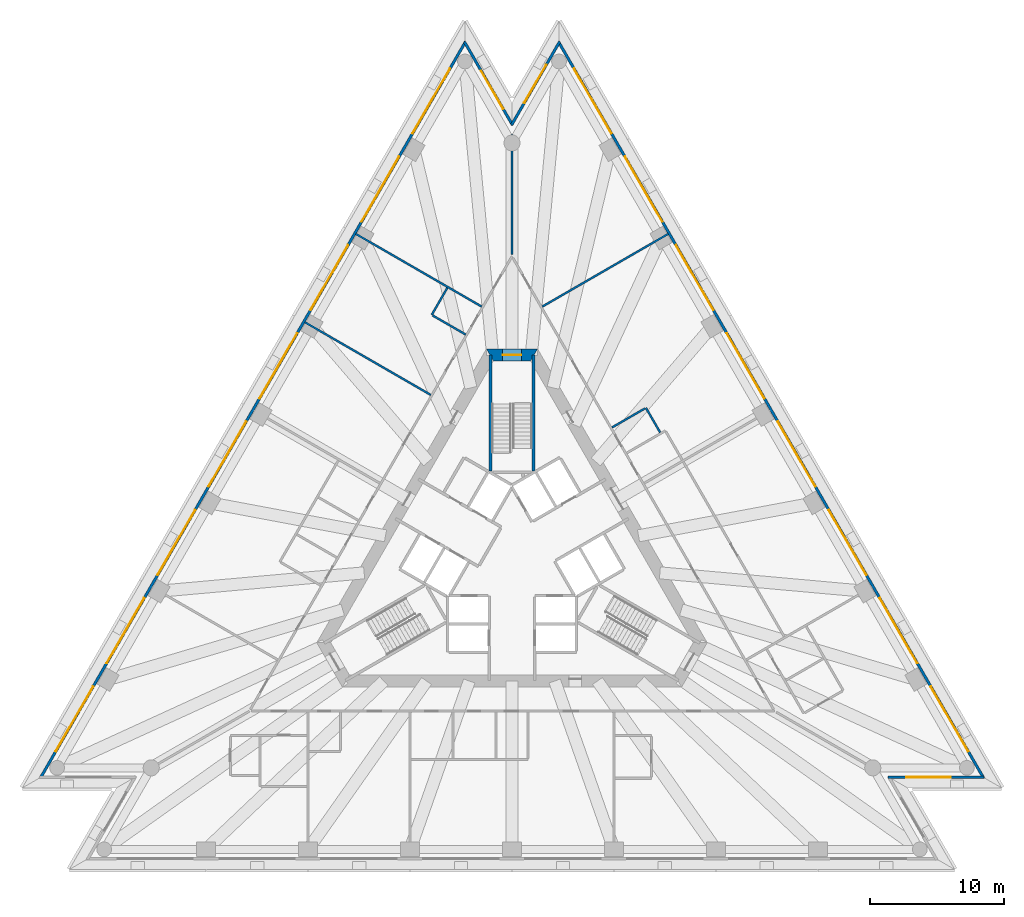
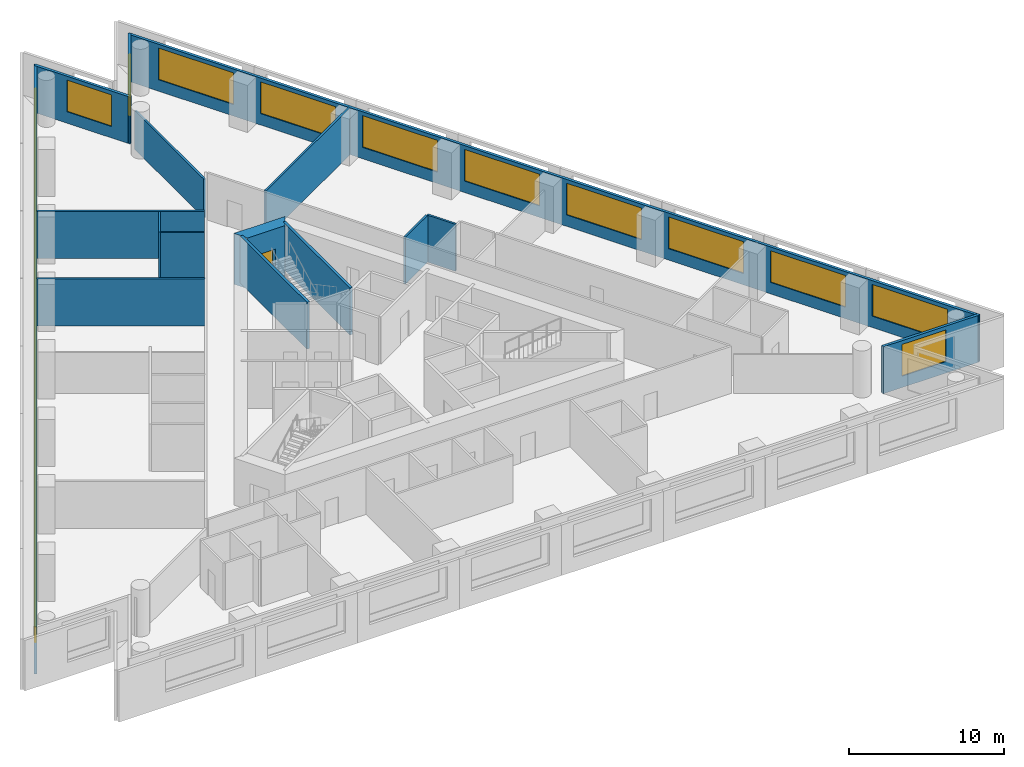
# One storey, part 8 of 11: 19 windows, 16 walls, 1 door, 20 openings.
"""IFC4 building model written with IfcOpenShell, lengths in metres."""

import ifcopenshell
import ifcopenshell.guid

model = None  # the IFC model being written
_history = None  # IfcOwnerHistory: only IFC2X3 demands one
_inside = {}  # id of a spatial element -> (the spatial element, [elements in it])
_under = {}  # id of a project, library or spatial element -> (it, [spatial elements below it])
_declared = {}  # id of a project -> (the project, [libraries it declares])
_typed = {}  # id of a type object -> (the type object, [elements of that type])
_made_of = {}  # id of a material, layer set ... -> (it, [elements and type objects made of it])


def new_model(schema):
    """Start an empty IFC model of exactly this schema.

    Asked for "IFC4X3", IfcOpenShell would pick the latest addendum, in which some entities
    have other attributes; the version numbers below select the first issue.
    IFC2X3 requires an IfcOwnerHistory on every rooted entity: one is made here for all.
    """
    global model, _history
    if schema == "IFC4X3":
        model = ifcopenshell.file(schema_version=(4, 3, 0, 0))
    else:
        model = ifcopenshell.file(schema=schema)
    _inside.clear()
    _under.clear()
    _declared.clear()
    _typed.clear()
    _made_of.clear()
    _history = None
    if model.schema == "IFC2X3":
        org = make("IfcOrganization", Name="unknown")
        user = make(
            "IfcPersonAndOrganization",
            ThePerson=make("IfcPerson", FamilyName="unknown"),
            TheOrganization=org,
        )
        app = make(
            "IfcApplication",
            ApplicationDeveloper=org,
            Version="unknown",
            ApplicationFullName="unknown",
            ApplicationIdentifier="unknown",
        )
        _history = make(
            "IfcOwnerHistory",
            OwningUser=user,
            OwningApplication=app,
            ChangeAction="ADDED",
            CreationDate=0,
        )
    return model


def make(cls, **values):
    """One entity of the class cls with the attributes given. An attribute that is None is left unset."""
    return model.create_entity(
        cls, **{name: value for name, value in values.items() if value is not None}
    )


def rooted(cls, **values):
    """An entity with a GlobalId (a new one), such as an element, a storey or a relation."""
    return make(cls, GlobalId=ifcopenshell.guid.new(), OwnerHistory=_history, **values)


def si_unit(unit_type, name, prefix=None):
    """IfcSIUnit, for example si_unit("LENGTHUNIT", "METRE", prefix="MILLI")."""
    return make("IfcSIUnit", UnitType=unit_type, Prefix=prefix, Name=name)


def assignment(units):
    """IfcUnitAssignment: the units of a project."""
    return None if units is None else make("IfcUnitAssignment", Units=units)


def point(xyz):
    """IfcCartesianPoint."""
    return None if xyz is None else make("IfcCartesianPoint", Coordinates=xyz)


def direction(xyz):
    """IfcDirection."""
    return None if xyz is None else make("IfcDirection", DirectionRatios=xyz)


def frame(location, z_axis=None, x_axis=None):
    """IfcAxis2Placement3D, a coordinate frame: its origin and axes. An axis left out is left unset."""
    return make(
        "IfcAxis2Placement3D",
        Location=point(location),
        Axis=direction(z_axis),
        RefDirection=direction(x_axis),
    )


def frame_2d(location, x_axis=None):
    """IfcAxis2Placement2D, a coordinate frame in the plane: its origin and x axis."""
    return make(
        "IfcAxis2Placement2D", Location=point(location), RefDirection=direction(x_axis)
    )


def origin():
    """The frame at (0, 0, 0) with its axes left unset."""
    return frame((0.0, 0.0, 0.0))


def place(relative_to, where):
    """IfcLocalPlacement: puts the frame where relative to a parent placement (None: the world)."""
    return make(
        "IfcLocalPlacement", PlacementRelTo=relative_to, RelativePlacement=where
    )


def context(
    kind, dimensions, precision=None, world=None, true_north=None, identifier=None
):
    """IfcGeometricRepresentationContext, for example the 3D "Model" context."""
    return make(
        "IfcGeometricRepresentationContext",
        ContextIdentifier=identifier,
        ContextType=kind,
        CoordinateSpaceDimension=dimensions,
        Precision=precision,
        WorldCoordinateSystem=world,
        TrueNorth=true_north,
    )


def subcontext(parent, identifier, kind, view, scale=None):
    """IfcGeometricRepresentationSubContext, for example "Body" below "Model"."""
    return make(
        "IfcGeometricRepresentationSubContext",
        ContextIdentifier=identifier,
        ContextType=kind,
        ParentContext=parent,
        TargetScale=scale,
        TargetView=view,
    )


def project(units=None, contexts=None):
    """IfcProject with its units and contexts."""
    return rooted(
        "IfcProject",
        Name="project",
        RepresentationContexts=contexts,
        UnitsInContext=assignment(units),
    )


def spatial(cls, under=None, at=None, **own):
    """A site, building, storey or space (cls), placed at a placement, below another one or the project."""
    s = rooted(cls, ObjectPlacement=at, **own)
    if under is not None:
        _under.setdefault(under.id(), (under, []))[1].append(s)
    return s


def polyline(points):
    """IfcPolyline through the points."""
    return make("IfcPolyline", Points=[point(p) for p in points])


def profile(cls, at=None, kind="AREA", **sizes):
    """A parametric profile (cls). Its sizes go by their IFC names, for example OverallWidth=200.0."""
    return make(cls, ProfileType=kind, Position=at, **sizes)


def rectangle(**sizes):
    """IfcRectangleProfileDef."""
    return profile("IfcRectangleProfileDef", **sizes)


def outline(outer, holes=None, kind="AREA"):
    """IfcArbitraryClosedProfileDef: a profile drawn as a closed curve; with holes, ...WithVoids."""
    if holes is None:
        return make("IfcArbitraryClosedProfileDef", ProfileType=kind, OuterCurve=outer)
    return make(
        "IfcArbitraryProfileDefWithVoids",
        ProfileType=kind,
        OuterCurve=outer,
        InnerCurves=holes,
    )


def extrude(swept, where, along, depth):
    """IfcExtrudedAreaSolid: the profile swept, set in the frame where, extruded along a direction by depth."""
    return make(
        "IfcExtrudedAreaSolid",
        SweptArea=swept,
        Position=where,
        ExtrudedDirection=direction(along),
        Depth=depth,
    )


def shape(context_of_items, identifier, shape_type, items):
    """IfcShapeRepresentation: the items that make up one representation, for example the "Body"."""
    return make(
        "IfcShapeRepresentation",
        ContextOfItems=context_of_items,
        RepresentationIdentifier=identifier,
        RepresentationType=shape_type,
        Items=items,
    )


def material(Name=None, Category=None):
    """IfcMaterial."""
    return make("IfcMaterial", Name=Name, Category=Category)


def layer(
    of_material, thickness, ventilated=None, Name=None, Category=None, Priority=None
):
    """IfcMaterialLayer: one layer of a wall or slab, of a material (None: an air gap)."""
    return make(
        "IfcMaterialLayer",
        Material=of_material,
        LayerThickness=thickness,
        IsVentilated=ventilated,
        Name=Name,
        Category=Category,
        Priority=Priority,
    )


def layer_set(layers, Name=None):
    """IfcMaterialLayerSet."""
    return make("IfcMaterialLayerSet", MaterialLayers=layers, LayerSetName=Name)


def layer_usage(for_layer_set, set_direction, sense, offset, extent=None):
    """IfcMaterialLayerSetUsage: how a layer set lies in its element."""
    return make(
        "IfcMaterialLayerSetUsage",
        ForLayerSet=for_layer_set,
        LayerSetDirection=set_direction,
        DirectionSense=sense,
        OffsetFromReferenceLine=offset,
        ReferenceExtent=extent,
    )


def made_of(thing, what):
    """Note that an element or type object is made of a material, layer set ...; save() writes the relation."""
    if what is not None:
        _made_of.setdefault(what.id(), (what, []))[1].append(thing)
    return thing


def type_object(cls, material=None, **own):
    """A type object (cls), such as IfcWallType, which elements share."""
    return made_of(rooted(cls, **own), material)


def element(
    cls,
    number,
    at=None,
    inside=None,
    cuts=None,
    type_object=None,
    material=None,
    context=None,
    identifier="Body",
    shape_type=None,
    held_by="IfcProductDefinitionShape",
    body=None,
    shapes=None,
    **own,
):
    """One element of the class cls, such as IfcWall. Its Tag is "e" and its number.

    at: its placement. inside: the storey or other place that contains it. cuts: it is an
    opening in that element (IfcRelVoidsElement). A single representation is given by context,
    identifier, shape_type and body (its items); several are given by shapes. held_by: the class
    of the entity that holds the representations. save() writes the other relations.
    """
    e = rooted(cls, Tag="e%d" % number, ObjectPlacement=at, **own)
    if body is not None:
        shapes = [shape(context, identifier, shape_type, body)]
    if shapes is not None:
        e.Representation = make(held_by, Representations=shapes)
    if inside is not None:
        _inside.setdefault(inside.id(), (inside, []))[1].append(e)
    if cuts is not None:
        rooted(
            "IfcRelVoidsElement", RelatingBuildingElement=cuts, RelatedOpeningElement=e
        )
    if type_object is not None:
        _typed.setdefault(type_object.id(), (type_object, []))[1].append(e)
    return made_of(e, material)


def fill(opening, filler):
    """IfcRelFillsElement: the door or window that sits in an opening."""
    return rooted(
        "IfcRelFillsElement",
        RelatingOpeningElement=opening,
        RelatedBuildingElement=filler,
    )


def aggregate(whole, parts):
    """IfcRelAggregates: a whole, such as a stair, and the parts it consists of."""
    return rooted("IfcRelAggregates", RelatingObject=whole, RelatedObjects=parts)


def save(model, path):
    """Write the relations noted so far, then the file.

    IfcRelAggregates (storeys below a building ...), IfcRelContainedInSpatialStructure (elements
    in a storey), IfcRelDefinesByType, IfcRelAssociatesMaterial and IfcRelDeclares: one each for
    every whole, place, type object, material and project.
    """
    for whole, parts in _under.values():
        aggregate(whole, parts)
    for where, things in _inside.values():
        rooted(
            "IfcRelContainedInSpatialStructure",
            RelatedElements=things,
            RelatingStructure=where,
        )
    for kind, things in _typed.values():
        rooted("IfcRelDefinesByType", RelatedObjects=things, RelatingType=kind)
    for what, things in _made_of.values():
        rooted("IfcRelAssociatesMaterial", RelatedObjects=things, RelatingMaterial=what)
    for by, libraries in _declared.values():
        rooted("IfcRelDeclares", RelatingContext=by, RelatedDefinitions=libraries)
    model.write(path)


model = new_model("IFC4")

# Units and contexts
model_context = context("Model", 3, precision=1e-05, world=origin(), true_north=direction((0.0, 1.0)))
body_context = subcontext(model_context, "Body", "Model", "MODEL_VIEW")
ifc_project = project(units=[si_unit("LENGTHUNIT", "METRE"), si_unit("AREAUNIT", "SQUARE_METRE"), si_unit("VOLUMEUNIT", "CUBIC_METRE"), si_unit("PLANEANGLEUNIT", "RADIAN"), si_unit("MASSUNIT", "GRAM", prefix="KILO")], contexts=[model_context])

# Site, building, storey
site_placement = place(None, origin())
site = spatial("IfcSite", under=ifc_project, at=site_placement, CompositionType="ELEMENT")
building_placement = place(site_placement, origin())
building = spatial("IfcBuilding", under=site, at=building_placement, Name="Triada Interchange Tower", CompositionType="ELEMENT")
storey_placement = place(building_placement, frame((0.0, 0.0, 43.300048828125)))
storey = spatial("IfcBuildingStorey", under=building, at=storey_placement, Name="L08", CompositionType="ELEMENT", Elevation=43.300048828125)

# Walls
ifc_material_1 = material(Name="Concrete C30/37", Category="concrete")
ifc_layer_1 = layer(ifc_material_1, 0.199951171875)
ifc_layer_set_1 = layer_set([ifc_layer_1], Name="CORE WALL 200 REI 240")
wall_type_1 = type_object("IfcWallType", Name="CORE WALL 200 REI 240", PredefinedType="SOLIDWALL", material=ifc_layer_set_1)
for number, where, z_axis, x_axis, name in (
    (1, (1.60009765625, 6.614990234375, 0.0), (0.0, 0.0, 1.0), (0.0, 1.0, 0.0), "Wall L06 87"),
    (2, (-1.60009765625, 6.614990234375, 0.0), (0.0, 0.0, 1.0), (0.0, 1.0, 0.0), "Wall L06 89"),
):
    element("IfcWall", number, at=place(storey_placement, frame(where, z_axis=z_axis, x_axis=x_axis)), inside=storey, type_object=wall_type_1, Name=name, PredefinedType="SOLIDWALL", context=body_context, shape_type="SweptSolid", body=[
        extrude(rectangle(XDim=8.614990234375, YDim=0.199951171875, at=frame_2d((4.3076171875, 0.0))), origin(), (0.0, 0.0, 1.0), 3.699951171875),
    ])

# Wall, opening, door
ifc_material_2 = material(Name="Concrete C70/85", Category="concrete")
ifc_layer_2 = layer(ifc_material_2, 0.89990234375)
ifc_layer_set_2 = layer_set([ifc_layer_2], Name="Core wall A 900")
wall_type_2 = type_object("IfcWallType", Name="Core wall A 900", PredefinedType="SHEAR", material=ifc_layer_set_2)
wall_1_placement = place(storey_placement, frame((1.64501953125, 15.25, -0.300048828125), z_axis=(0.0, 0.0, 1.0), x_axis=(-1.0, 0.0, 0.0)))
wall_1 = element("IfcWall", 3, at=wall_1_placement, inside=storey, type_object=wall_type_2, Name="Core wall WA01 L08", PredefinedType="SHEAR", context=body_context, shape_type="SweptSolid", body=[
    extrude(outline(polyline([(-0.260009765625, -0.449951171875), (1.64501953125, -0.449951171875), (3.550048828125, -0.449951171875), (3.031005859375, 0.449951171875), (1.64501953125, 0.449951171875), (0.259033203125, 0.449951171875), (-0.260009765625, -0.449951171875)])), origin(), (0.0, 0.0, 1.0), 4.0),
])
opening_1_placement = place(wall_1_placement, frame((0.945068359375, 0.0, 0.300048828125)))
opening_1 = element("IfcOpeningElement", 4, at=opening_1_placement, cuts=wall_1, Name="Opening D06-41", PredefinedType="OPENING", context=body_context, shape_type="SweptSolid", body=[
    extrude(rectangle(XDim=1.39990234375, YDim=2.10009765625, at=frame_2d((0.699951171875, 1.050048828125))), frame((0.0, 0.4599609375, 0.0), z_axis=(0.0, -1.0, 0.0), x_axis=(1.0, 0.0, 0.0)), (0.0, 0.0, 1.0), 0.919921875),
])
ifc_material_3 = material(Name="Steel S235 door leaf", Category="steel")
door_type = type_object("IfcDoorType", Name="STAIR DOOR 1400 EI2 90-C5S200", OperationType="DOUBLE_DOOR_SINGLE_SWING", PredefinedType="DOOR", material=ifc_material_3)
door_placement = place(opening_1_placement, origin())
door = element("IfcDoor", 5, at=door_placement, inside=storey, type_object=door_type, Name="Door D06-41 L08", OperationType="DOUBLE_DOOR_SINGLE_SWING", OverallHeight=2.10009765625, OverallWidth=1.39990234375, PredefinedType="DOOR", context=body_context, shape_type="SweptSolid", body=[
    extrude(rectangle(XDim=1.39990234375, YDim=2.10009765625, at=frame_2d((0.699951171875, 1.050048828125))), frame((0.0, 0.02490234375, 0.0), z_axis=(0.0, -1.0, 0.0), x_axis=(1.0, 0.0, 0.0)), (0.0, 0.0, 1.0), 0.050048828125),
])
fill(opening_1, door)

# Wall, openings, windows
ifc_material_4 = material(Name="Cement board")
ifc_layer_3 = layer(ifc_material_4, 0.02001953125, Name="Cement board cladding")
ifc_material_5 = material(Name="Sheathing board")
ifc_layer_4 = layer(ifc_material_5, 0.014892578125, Name="Sheathing board")
ifc_material_6 = material(Name="Mineral wool")
ifc_layer_5 = layer(ifc_material_6, 0.14990234375, Name="Mineral wool between steel studs")
ifc_material_7 = material(Name="Gypsum board")
ifc_layer_6 = layer(ifc_material_7, 0.014892578125, Name="Plasterboard lining")
ifc_layer_set_3 = layer_set([ifc_layer_3, ifc_layer_4, ifc_layer_5, ifc_layer_6], Name="External wall 200")
ifc_layer_usage = layer_usage(ifc_layer_set_3, "AXIS2", "POSITIVE", -0.10009765625)
wall_type_3 = type_object("IfcWallType", Name="External wall 200", PredefinedType="ELEMENTEDWALL", material=ifc_layer_set_3)
wall_2_placement = place(storey_placement, frame((-3.4619140625, 38.60302734375, 0.0), z_axis=(0.0, 0.0, 1.0), x_axis=(-0.500012207976, -0.866018355391, 0.0)))
wall_2 = element("IfcWall", 6, at=wall_2_placement, inside=storey, type_object=wall_type_3, material=ifc_layer_usage, Name="External wall L08 NW", PredefinedType="ELEMENTEDWALL", context=body_context, shape_type="SweptSolid", body=[
    extrude(rectangle(XDim=63.380859375, YDim=0.199951171875, at=frame_2d((31.6904296875, 0.0))), origin(), (0.0, 0.0, 1.0), 3.699951171875),
])
opening_2_placement = place(wall_2_placement, frame((2.302001953125, 0.0, 0.89990234375)))
opening_2 = element("IfcOpeningElement", 7, at=opening_2_placement, cuts=wall_2, Name="Opening WA01", PredefinedType="OPENING", context=body_context, shape_type="SweptSolid", body=[
    extrude(rectangle(XDim=5.60009765625, YDim=2.5, at=frame_2d((2.800048828125, 1.25))), frame((0.0, 0.10986328125, 0.0), z_axis=(0.0, -1.0, 0.0), x_axis=(1.0, 0.0, 0.0)), (0.0, 0.0, 1.0), 0.219970703125),
])
opening_3_placement = place(wall_2_placement, frame((9.902099609375, 0.0, 0.89990234375)))
opening_3 = element("IfcOpeningElement", 8, at=opening_3_placement, cuts=wall_2, Name="Opening WA02", PredefinedType="OPENING", context=body_context, shape_type="SweptSolid", body=[
    extrude(rectangle(XDim=5.60009765625, YDim=2.5, at=frame_2d((2.800048828125, 1.25))), frame((0.0, 0.10986328125, 0.0), z_axis=(0.0, -1.0, 0.0), x_axis=(1.0, 0.0, 0.0)), (0.0, 0.0, 1.0), 0.219970703125),
])
opening_4_placement = place(wall_2_placement, frame((17.5009765625, 0.0, 0.89990234375)))
opening_4 = element("IfcOpeningElement", 9, at=opening_4_placement, cuts=wall_2, Name="Opening WA03", PredefinedType="OPENING", context=body_context, shape_type="SweptSolid", body=[
    extrude(rectangle(XDim=5.60009765625, YDim=2.5, at=frame_2d((2.800048828125, 1.25))), frame((0.0, 0.10986328125, 0.0), z_axis=(0.0, -1.0, 0.0), x_axis=(1.0, 0.0, 0.0)), (0.0, 0.0, 1.0), 0.219970703125),
])
opening_5_placement = place(wall_2_placement, frame((25.10009765625, 0.0, 0.89990234375)))
opening_5 = element("IfcOpeningElement", 10, at=opening_5_placement, cuts=wall_2, Name="Opening WA04", PredefinedType="OPENING", context=body_context, shape_type="SweptSolid", body=[
    extrude(rectangle(XDim=5.60009765625, YDim=2.5, at=frame_2d((2.800048828125, 1.25))), frame((0.0, 0.10986328125, 0.0), z_axis=(0.0, -1.0, 0.0), x_axis=(1.0, 0.0, 0.0)), (0.0, 0.0, 1.0), 0.219970703125),
])
opening_6_placement = place(wall_2_placement, frame((32.699951171875, 0.0, 0.89990234375)))
opening_6 = element("IfcOpeningElement", 11, at=opening_6_placement, cuts=wall_2, Name="Opening WA05", PredefinedType="OPENING", context=body_context, shape_type="SweptSolid", body=[
    extrude(rectangle(XDim=5.60009765625, YDim=2.5, at=frame_2d((2.800048828125, 1.25))), frame((0.0, 0.10986328125, 0.0), z_axis=(0.0, -1.0, 0.0), x_axis=(1.0, 0.0, 0.0)), (0.0, 0.0, 1.0), 0.219970703125),
])
opening_7_placement = place(wall_2_placement, frame((40.299072265625, 0.0, 0.89990234375)))
opening_7 = element("IfcOpeningElement", 12, at=opening_7_placement, cuts=wall_2, Name="Opening WA06", PredefinedType="OPENING", context=body_context, shape_type="SweptSolid", body=[
    extrude(rectangle(XDim=5.60009765625, YDim=2.5, at=frame_2d((2.800048828125, 1.25))), frame((0.0, 0.10986328125, 0.0), z_axis=(0.0, -1.0, 0.0), x_axis=(1.0, 0.0, 0.0)), (0.0, 0.0, 1.0), 0.219970703125),
])
opening_8_placement = place(wall_2_placement, frame((47.89892578125, 0.0, 0.89990234375)))
opening_8 = element("IfcOpeningElement", 13, at=opening_8_placement, cuts=wall_2, Name="Opening WA07", PredefinedType="OPENING", context=body_context, shape_type="SweptSolid", body=[
    extrude(rectangle(XDim=5.60009765625, YDim=2.5, at=frame_2d((2.800048828125, 1.25))), frame((0.0, 0.10986328125, 0.0), z_axis=(0.0, -1.0, 0.0), x_axis=(1.0, 0.0, 0.0)), (0.0, 0.0, 1.0), 0.219970703125),
])
opening_9_placement = place(wall_2_placement, frame((55.498046875, 0.0, 0.89990234375)))
opening_9 = element("IfcOpeningElement", 14, at=opening_9_placement, cuts=wall_2, Name="Opening WA08", PredefinedType="OPENING", context=body_context, shape_type="SweptSolid", body=[
    extrude(rectangle(XDim=5.60009765625, YDim=2.5, at=frame_2d((2.800048828125, 1.25))), frame((0.0, 0.10986328125, 0.0), z_axis=(0.0, -1.0, 0.0), x_axis=(1.0, 0.0, 0.0)), (0.0, 0.0, 1.0), 0.219970703125),
])
ifc_material_8 = material(Name="Double glazed aluminium window", Category="aluminium")
window_type_1 = type_object("IfcWindowType", Name="Ribbon window A face", PartitioningType="SINGLE_PANEL", PredefinedType="WINDOW", material=ifc_material_8)
window_1_placement = place(opening_2_placement, origin())
window_1 = element("IfcWindow", 15, at=window_1_placement, inside=storey, type_object=window_type_1, Name="Window L08 NW 1", OverallHeight=2.5, OverallWidth=5.60009765625, PartitioningType="SINGLE_PANEL", PredefinedType="WINDOW", context=body_context, shape_type="SweptSolid", body=[
    extrude(rectangle(XDim=5.60009765625, YDim=2.5, at=frame_2d((2.800048828125, 1.25))), frame((0.0, 0.030029296875, 0.0), z_axis=(0.0, -1.0, 0.0), x_axis=(1.0, 0.0, 0.0)), (0.0, 0.0, 1.0), 0.06005859375),
])
fill(opening_2, window_1)
window_2_placement = place(opening_3_placement, origin())
window_2 = element("IfcWindow", 16, at=window_2_placement, inside=storey, type_object=window_type_1, Name="Window L08 NW 2", OverallHeight=2.5, OverallWidth=5.60009765625, PartitioningType="SINGLE_PANEL", PredefinedType="WINDOW", context=body_context, shape_type="SweptSolid", body=[
    extrude(rectangle(XDim=5.60009765625, YDim=2.5, at=frame_2d((2.800048828125, 1.25))), frame((0.0, 0.030029296875, 0.0), z_axis=(0.0, -1.0, 0.0), x_axis=(1.0, 0.0, 0.0)), (0.0, 0.0, 1.0), 0.06005859375),
])
fill(opening_3, window_2)
window_3_placement = place(opening_4_placement, origin())
window_3 = element("IfcWindow", 17, at=window_3_placement, inside=storey, type_object=window_type_1, Name="Window L08 NW 3", OverallHeight=2.5, OverallWidth=5.60009765625, PartitioningType="SINGLE_PANEL", PredefinedType="WINDOW", context=body_context, shape_type="SweptSolid", body=[
    extrude(rectangle(XDim=5.60009765625, YDim=2.5, at=frame_2d((2.800048828125, 1.25))), frame((0.0, 0.030029296875, 0.0), z_axis=(0.0, -1.0, 0.0), x_axis=(1.0, 0.0, 0.0)), (0.0, 0.0, 1.0), 0.06005859375),
])
fill(opening_4, window_3)
window_4_placement = place(opening_5_placement, origin())
window_4 = element("IfcWindow", 18, at=window_4_placement, inside=storey, type_object=window_type_1, Name="Window L08 NW 4", OverallHeight=2.5, OverallWidth=5.60009765625, PartitioningType="SINGLE_PANEL", PredefinedType="WINDOW", context=body_context, shape_type="SweptSolid", body=[
    extrude(rectangle(XDim=5.60009765625, YDim=2.5, at=frame_2d((2.800048828125, 1.25))), frame((0.0, 0.030029296875, 0.0), z_axis=(0.0, -1.0, 0.0), x_axis=(1.0, 0.0, 0.0)), (0.0, 0.0, 1.0), 0.06005859375),
])
fill(opening_5, window_4)
window_5_placement = place(opening_6_placement, origin())
window_5 = element("IfcWindow", 19, at=window_5_placement, inside=storey, type_object=window_type_1, Name="Window L08 NW 5", OverallHeight=2.5, OverallWidth=5.60009765625, PartitioningType="SINGLE_PANEL", PredefinedType="WINDOW", context=body_context, shape_type="SweptSolid", body=[
    extrude(rectangle(XDim=5.60009765625, YDim=2.5, at=frame_2d((2.800048828125, 1.25))), frame((0.0, 0.030029296875, 0.0), z_axis=(0.0, -1.0, 0.0), x_axis=(1.0, 0.0, 0.0)), (0.0, 0.0, 1.0), 0.06005859375),
])
fill(opening_6, window_5)
window_6_placement = place(opening_7_placement, origin())
window_6 = element("IfcWindow", 20, at=window_6_placement, inside=storey, type_object=window_type_1, Name="Window L08 NW 6", OverallHeight=2.5, OverallWidth=5.60009765625, PartitioningType="SINGLE_PANEL", PredefinedType="WINDOW", context=body_context, shape_type="SweptSolid", body=[
    extrude(rectangle(XDim=5.60009765625, YDim=2.5, at=frame_2d((2.800048828125, 1.25))), frame((0.0, 0.030029296875, 0.0), z_axis=(0.0, -1.0, 0.0), x_axis=(1.0, 0.0, 0.0)), (0.0, 0.0, 1.0), 0.06005859375),
])
fill(opening_7, window_6)
window_7_placement = place(opening_8_placement, origin())
window_7 = element("IfcWindow", 21, at=window_7_placement, inside=storey, type_object=window_type_1, Name="Window L08 NW 7", OverallHeight=2.5, OverallWidth=5.60009765625, PartitioningType="SINGLE_PANEL", PredefinedType="WINDOW", context=body_context, shape_type="SweptSolid", body=[
    extrude(rectangle(XDim=5.60009765625, YDim=2.5, at=frame_2d((2.800048828125, 1.25))), frame((0.0, 0.030029296875, 0.0), z_axis=(0.0, -1.0, 0.0), x_axis=(1.0, 0.0, 0.0)), (0.0, 0.0, 1.0), 0.06005859375),
])
fill(opening_8, window_7)
window_8_placement = place(opening_9_placement, origin())
window_8 = element("IfcWindow", 22, at=window_8_placement, inside=storey, type_object=window_type_1, Name="Window L08 NW 8", OverallHeight=2.5, OverallWidth=5.60009765625, PartitioningType="SINGLE_PANEL", PredefinedType="WINDOW", context=body_context, shape_type="SweptSolid", body=[
    extrude(rectangle(XDim=5.60009765625, YDim=2.5, at=frame_2d((2.800048828125, 1.25))), frame((0.0, 0.030029296875, 0.0), z_axis=(0.0, -1.0, 0.0), x_axis=(1.0, 0.0, 0.0)), (0.0, 0.0, 1.0), 0.06005859375),
])
fill(opening_9, window_8)

# Wall, opening, window
wall_3_placement = place(storey_placement, frame((28.012939453125, -16.22509765625, 0.0), z_axis=(0.0, 0.0, 1.0), x_axis=(1.0, 0.0, 0.0)))
wall_3 = element("IfcWall", 23, at=wall_3_placement, inside=storey, type_object=wall_type_3, material=ifc_layer_usage, Name="External wall L08 SE-2", PredefinedType="ELEMENTEDWALL", context=body_context, shape_type="SweptSolid", body=[
    extrude(rectangle(XDim=7.175048828125, YDim=0.199951171875, at=frame_2d((3.58740234375, 0.0))), origin(), (0.0, 0.0, 1.0), 3.699951171875),
])
opening_10_placement = place(wall_3_placement, frame((1.389892578125, 0.0, 0.89990234375)))
opening_10 = element("IfcOpeningElement", 24, at=opening_10_placement, cuts=wall_3, Name="Opening WA20", PredefinedType="OPENING", context=body_context, shape_type="SweptSolid", body=[
    extrude(rectangle(XDim=3.300048828125, YDim=2.5, at=frame_2d((1.64990234375, 1.25))), frame((0.0, 0.10986328125, 0.0), z_axis=(0.0, -1.0, 0.0), x_axis=(1.0, 0.0, 0.0)), (0.0, 0.0, 1.0), 0.219970703125),
])
window_type_2 = type_object("IfcWindowType", Name="Ribbon window A pocket", PartitioningType="SINGLE_PANEL", PredefinedType="WINDOW", material=ifc_material_8)
window_9_placement = place(opening_10_placement, origin())
window_9 = element("IfcWindow", 25, at=window_9_placement, inside=storey, type_object=window_type_2, Name="Window L08 SE-2 1", OverallHeight=2.5, OverallWidth=3.300048828125, PartitioningType="SINGLE_PANEL", PredefinedType="WINDOW", context=body_context, shape_type="SweptSolid", body=[
    extrude(rectangle(XDim=3.300048828125, YDim=2.5, at=frame_2d((1.64990234375, 1.25))), frame((0.0, 0.030029296875, 0.0), z_axis=(0.0, -1.0, 0.0), x_axis=(1.0, 0.0, 0.0)), (0.0, 0.0, 1.0), 0.06005859375),
])
fill(opening_10, window_9)

# Wall, openings, windows
wall_4_placement = place(storey_placement, frame((35.1630859375, -16.302978515625, 0.0), z_axis=(0.0, 0.0, 1.0), x_axis=(-0.500012207976, 0.866018355391, 0.0)))
wall_4 = element("IfcWall", 26, at=wall_4_placement, inside=storey, type_object=wall_type_3, material=ifc_layer_usage, Name="External wall L08 NE", PredefinedType="ELEMENTEDWALL", context=body_context, shape_type="SweptSolid", body=[
    extrude(rectangle(XDim=63.380859375, YDim=0.199951171875, at=frame_2d((31.6904296875, 0.0))), origin(), (0.0, 0.0, 1.0), 3.699951171875),
])
opening_11_placement = place(wall_4_placement, frame((2.302001953125, 0.0, 0.89990234375)))
opening_11 = element("IfcOpeningElement", 27, at=opening_11_placement, cuts=wall_4, Name="Opening WA21", PredefinedType="OPENING", context=body_context, shape_type="SweptSolid", body=[
    extrude(rectangle(XDim=5.60009765625, YDim=2.5, at=frame_2d((2.800048828125, 1.25))), frame((0.0, 0.10986328125, 0.0), z_axis=(0.0, -1.0, 0.0), x_axis=(1.0, 0.0, 0.0)), (0.0, 0.0, 1.0), 0.219970703125),
])
opening_12_placement = place(wall_4_placement, frame((9.902099609375, 0.0, 0.89990234375)))
opening_12 = element("IfcOpeningElement", 28, at=opening_12_placement, cuts=wall_4, Name="Opening WA22", PredefinedType="OPENING", context=body_context, shape_type="SweptSolid", body=[
    extrude(rectangle(XDim=5.60009765625, YDim=2.5, at=frame_2d((2.800048828125, 1.25))), frame((0.0, 0.10986328125, 0.0), z_axis=(0.0, -1.0, 0.0), x_axis=(1.0, 0.0, 0.0)), (0.0, 0.0, 1.0), 0.219970703125),
])
opening_13_placement = place(wall_4_placement, frame((17.5009765625, 0.0, 0.89990234375)))
opening_13 = element("IfcOpeningElement", 29, at=opening_13_placement, cuts=wall_4, Name="Opening WA23", PredefinedType="OPENING", context=body_context, shape_type="SweptSolid", body=[
    extrude(rectangle(XDim=5.60009765625, YDim=2.5, at=frame_2d((2.800048828125, 1.25))), frame((0.0, 0.10986328125, 0.0), z_axis=(0.0, -1.0, 0.0), x_axis=(1.0, 0.0, 0.0)), (0.0, 0.0, 1.0), 0.219970703125),
])
opening_14_placement = place(wall_4_placement, frame((25.10107421875, 0.0, 0.89990234375)))
opening_14 = element("IfcOpeningElement", 30, at=opening_14_placement, cuts=wall_4, Name="Opening WA24", PredefinedType="OPENING", context=body_context, shape_type="SweptSolid", body=[
    extrude(rectangle(XDim=5.60009765625, YDim=2.5, at=frame_2d((2.800048828125, 1.25))), frame((0.0, 0.10986328125, 0.0), z_axis=(0.0, -1.0, 0.0), x_axis=(1.0, 0.0, 0.0)), (0.0, 0.0, 1.0), 0.219970703125),
])
opening_15_placement = place(wall_4_placement, frame((32.699951171875, 0.0, 0.89990234375)))
opening_15 = element("IfcOpeningElement", 31, at=opening_15_placement, cuts=wall_4, Name="Opening WA25", PredefinedType="OPENING", context=body_context, shape_type="SweptSolid", body=[
    extrude(rectangle(XDim=5.60009765625, YDim=2.5, at=frame_2d((2.800048828125, 1.25))), frame((0.0, 0.10986328125, 0.0), z_axis=(0.0, -1.0, 0.0), x_axis=(1.0, 0.0, 0.0)), (0.0, 0.0, 1.0), 0.219970703125),
])
opening_16_placement = place(wall_4_placement, frame((40.299072265625, 0.0, 0.89990234375)))
opening_16 = element("IfcOpeningElement", 32, at=opening_16_placement, cuts=wall_4, Name="Opening WA26", PredefinedType="OPENING", context=body_context, shape_type="SweptSolid", body=[
    extrude(rectangle(XDim=5.60009765625, YDim=2.5, at=frame_2d((2.800048828125, 1.25))), frame((0.0, 0.10986328125, 0.0), z_axis=(0.0, -1.0, 0.0), x_axis=(1.0, 0.0, 0.0)), (0.0, 0.0, 1.0), 0.219970703125),
])
opening_17_placement = place(wall_4_placement, frame((47.89892578125, 0.0, 0.89990234375)))
opening_17 = element("IfcOpeningElement", 33, at=opening_17_placement, cuts=wall_4, Name="Opening WA27", PredefinedType="OPENING", context=body_context, shape_type="SweptSolid", body=[
    extrude(rectangle(XDim=5.60009765625, YDim=2.5, at=frame_2d((2.800048828125, 1.25))), frame((0.0, 0.10986328125, 0.0), z_axis=(0.0, -1.0, 0.0), x_axis=(1.0, 0.0, 0.0)), (0.0, 0.0, 1.0), 0.219970703125),
])
opening_18_placement = place(wall_4_placement, frame((55.498046875, 0.0, 0.89990234375)))
opening_18 = element("IfcOpeningElement", 34, at=opening_18_placement, cuts=wall_4, Name="Opening WA28", PredefinedType="OPENING", context=body_context, shape_type="SweptSolid", body=[
    extrude(rectangle(XDim=5.60009765625, YDim=2.5, at=frame_2d((2.800048828125, 1.25))), frame((0.0, 0.10986328125, 0.0), z_axis=(0.0, -1.0, 0.0), x_axis=(1.0, 0.0, 0.0)), (0.0, 0.0, 1.0), 0.219970703125),
])
window_10_placement = place(opening_11_placement, origin())
window_10 = element("IfcWindow", 35, at=window_10_placement, inside=storey, type_object=window_type_1, Name="Window L08 NE 1", OverallHeight=2.5, OverallWidth=5.60009765625, PartitioningType="SINGLE_PANEL", PredefinedType="WINDOW", context=body_context, shape_type="SweptSolid", body=[
    extrude(rectangle(XDim=5.60009765625, YDim=2.5, at=frame_2d((2.800048828125, 1.25))), frame((0.0, 0.030029296875, 0.0), z_axis=(0.0, -1.0, 0.0), x_axis=(1.0, 0.0, 0.0)), (0.0, 0.0, 1.0), 0.06005859375),
])
fill(opening_11, window_10)
window_11_placement = place(opening_12_placement, origin())
window_11 = element("IfcWindow", 36, at=window_11_placement, inside=storey, type_object=window_type_1, Name="Window L08 NE 2", OverallHeight=2.5, OverallWidth=5.60009765625, PartitioningType="SINGLE_PANEL", PredefinedType="WINDOW", context=body_context, shape_type="SweptSolid", body=[
    extrude(rectangle(XDim=5.60009765625, YDim=2.5, at=frame_2d((2.800048828125, 1.25))), frame((0.0, 0.030029296875, 0.0), z_axis=(0.0, -1.0, 0.0), x_axis=(1.0, 0.0, 0.0)), (0.0, 0.0, 1.0), 0.06005859375),
])
fill(opening_12, window_11)
window_12_placement = place(opening_13_placement, origin())
window_12 = element("IfcWindow", 37, at=window_12_placement, inside=storey, type_object=window_type_1, Name="Window L08 NE 3", OverallHeight=2.5, OverallWidth=5.60009765625, PartitioningType="SINGLE_PANEL", PredefinedType="WINDOW", context=body_context, shape_type="SweptSolid", body=[
    extrude(rectangle(XDim=5.60009765625, YDim=2.5, at=frame_2d((2.800048828125, 1.25))), frame((0.0, 0.030029296875, 0.0), z_axis=(0.0, -1.0, 0.0), x_axis=(1.0, 0.0, 0.0)), (0.0, 0.0, 1.0), 0.06005859375),
])
fill(opening_13, window_12)
window_13_placement = place(opening_14_placement, origin())
window_13 = element("IfcWindow", 38, at=window_13_placement, inside=storey, type_object=window_type_1, Name="Window L08 NE 4", OverallHeight=2.5, OverallWidth=5.60009765625, PartitioningType="SINGLE_PANEL", PredefinedType="WINDOW", context=body_context, shape_type="SweptSolid", body=[
    extrude(rectangle(XDim=5.60009765625, YDim=2.5, at=frame_2d((2.800048828125, 1.25))), frame((0.0, 0.030029296875, 0.0), z_axis=(0.0, -1.0, 0.0), x_axis=(1.0, 0.0, 0.0)), (0.0, 0.0, 1.0), 0.06005859375),
])
fill(opening_14, window_13)
window_14_placement = place(opening_15_placement, origin())
window_14 = element("IfcWindow", 39, at=window_14_placement, inside=storey, type_object=window_type_1, Name="Window L08 NE 5", OverallHeight=2.5, OverallWidth=5.60009765625, PartitioningType="SINGLE_PANEL", PredefinedType="WINDOW", context=body_context, shape_type="SweptSolid", body=[
    extrude(rectangle(XDim=5.60009765625, YDim=2.5, at=frame_2d((2.800048828125, 1.25))), frame((0.0, 0.030029296875, 0.0), z_axis=(0.0, -1.0, 0.0), x_axis=(1.0, 0.0, 0.0)), (0.0, 0.0, 1.0), 0.06005859375),
])
fill(opening_15, window_14)
window_15_placement = place(opening_16_placement, origin())
window_15 = element("IfcWindow", 40, at=window_15_placement, inside=storey, type_object=window_type_1, Name="Window L08 NE 6", OverallHeight=2.5, OverallWidth=5.60009765625, PartitioningType="SINGLE_PANEL", PredefinedType="WINDOW", context=body_context, shape_type="SweptSolid", body=[
    extrude(rectangle(XDim=5.60009765625, YDim=2.5, at=frame_2d((2.800048828125, 1.25))), frame((0.0, 0.030029296875, 0.0), z_axis=(0.0, -1.0, 0.0), x_axis=(1.0, 0.0, 0.0)), (0.0, 0.0, 1.0), 0.06005859375),
])
fill(opening_16, window_15)
window_16_placement = place(opening_17_placement, origin())
window_16 = element("IfcWindow", 41, at=window_16_placement, inside=storey, type_object=window_type_1, Name="Window L08 NE 7", OverallHeight=2.5, OverallWidth=5.60009765625, PartitioningType="SINGLE_PANEL", PredefinedType="WINDOW", context=body_context, shape_type="SweptSolid", body=[
    extrude(rectangle(XDim=5.60009765625, YDim=2.5, at=frame_2d((2.800048828125, 1.25))), frame((0.0, 0.030029296875, 0.0), z_axis=(0.0, -1.0, 0.0), x_axis=(1.0, 0.0, 0.0)), (0.0, 0.0, 1.0), 0.06005859375),
])
fill(opening_17, window_16)
window_17_placement = place(opening_18_placement, origin())
window_17 = element("IfcWindow", 42, at=window_17_placement, inside=storey, type_object=window_type_1, Name="Window L08 NE 8", OverallHeight=2.5, OverallWidth=5.60009765625, PartitioningType="SINGLE_PANEL", PredefinedType="WINDOW", context=body_context, shape_type="SweptSolid", body=[
    extrude(rectangle(XDim=5.60009765625, YDim=2.5, at=frame_2d((2.800048828125, 1.25))), frame((0.0, 0.030029296875, 0.0), z_axis=(0.0, -1.0, 0.0), x_axis=(1.0, 0.0, 0.0)), (0.0, 0.0, 1.0), 0.06005859375),
])
fill(opening_18, window_17)

# Wall, opening, window
wall_5_placement = place(storey_placement, frame((3.552001953125, 38.60302734375, 0.0), z_axis=(0.0, 0.0, 1.0), x_axis=(-0.499915874128, -0.866073968431, 0.0)))
wall_5 = element("IfcWall", 43, at=wall_5_placement, inside=storey, type_object=wall_type_3, material=ifc_layer_usage, Name="External wall L08 N-1", PredefinedType="ELEMENTEDWALL", context=body_context, shape_type="SweptSolid", body=[
    extrude(rectangle(XDim=7.175048828125, YDim=0.199951171875, at=frame_2d((3.58740234375, 0.0))), origin(), (0.0, 0.0, 1.0), 3.699951171875),
])
opening_19_placement = place(wall_5_placement, frame((1.989990234375, 0.0, 0.89990234375)))
opening_19 = element("IfcOpeningElement", 44, at=opening_19_placement, cuts=wall_5, Name="Opening WA29", PredefinedType="OPENING", context=body_context, shape_type="SweptSolid", body=[
    extrude(rectangle(XDim=3.300048828125, YDim=2.5, at=frame_2d((1.64990234375, 1.25))), frame((0.0, 0.10986328125, 0.0), z_axis=(0.0, -1.0, 0.0), x_axis=(1.0, 0.0, 0.0)), (0.0, 0.0, 1.0), 0.219970703125),
])
window_18_placement = place(opening_19_placement, origin())
window_18 = element("IfcWindow", 45, at=window_18_placement, inside=storey, type_object=window_type_2, Name="Window L08 N-1 1", OverallHeight=2.5, OverallWidth=3.300048828125, PartitioningType="SINGLE_PANEL", PredefinedType="WINDOW", context=body_context, shape_type="SweptSolid", body=[
    extrude(rectangle(XDim=3.300048828125, YDim=2.5, at=frame_2d((1.64990234375, 1.25))), frame((0.0, 0.030029296875, 0.0), z_axis=(0.0, -1.0, 0.0), x_axis=(1.0, 0.0, 0.0)), (0.0, 0.0, 1.0), 0.06005859375),
])
fill(opening_19, window_18)

wall_6_placement = place(storey_placement, frame((0.044921875, 32.3720703125, 0.0), z_axis=(0.0, 0.0, 1.0), x_axis=(-0.499930606701, 0.866065464318, 0.0)))
wall_6 = element("IfcWall", 46, at=wall_6_placement, inside=storey, type_object=wall_type_3, material=ifc_layer_usage, Name="External wall L08 N-2", PredefinedType="ELEMENTEDWALL", context=body_context, shape_type="SweptSolid", body=[
    extrude(rectangle(XDim=7.1748046875, YDim=0.199951171875, at=frame_2d((3.58740234375, 0.0))), origin(), (0.0, 0.0, 1.0), 3.699951171875),
])
opening_20_placement = place(wall_6_placement, frame((1.389892578125, 0.0, 0.89990234375)))
opening_20 = element("IfcOpeningElement", 47, at=opening_20_placement, cuts=wall_6, Name="Opening WA30", PredefinedType="OPENING", context=body_context, shape_type="SweptSolid", body=[
    extrude(rectangle(XDim=3.300048828125, YDim=2.5, at=frame_2d((1.64990234375, 1.25))), frame((0.0, 0.10986328125, 0.0), z_axis=(0.0, -1.0, 0.0), x_axis=(1.0, 0.0, 0.0)), (0.0, 0.0, 1.0), 0.219970703125),
])
window_19_placement = place(opening_20_placement, origin())
window_19 = element("IfcWindow", 48, at=window_19_placement, inside=storey, type_object=window_type_2, Name="Window L08 N-2 1", OverallHeight=2.5, OverallWidth=3.300048828125, PartitioningType="SINGLE_PANEL", PredefinedType="WINDOW", context=body_context, shape_type="SweptSolid", body=[
    extrude(rectangle(XDim=3.300048828125, YDim=2.5, at=frame_2d((1.64990234375, 1.25))), frame((0.0, 0.030029296875, 0.0), z_axis=(0.0, -1.0, 0.0), x_axis=(1.0, 0.0, 0.0)), (0.0, 0.0, 1.0), 0.06005859375),
])
fill(opening_20, window_19)

# Walls
ifc_material_9 = material(Name="Gypsum board partition")
ifc_layer_7 = layer(ifc_material_9, 0.14990234375)
ifc_layer_set_4 = layer_set([ifc_layer_7], Name="PARTITION 150 EI 180")
wall_type_4 = type_object("IfcWallType", Name="PARTITION 150 EI 180", PredefinedType="PARTITIONING", material=ifc_layer_set_4)
wall_7_placement = place(storey_placement, frame((-15.443115234375, 17.69091796875, 0.0), z_axis=(0.0, 0.0, 1.0), x_axis=(0.866051380023, -0.499955005135, 0.0)))
element("IfcWall", 49, at=wall_7_placement, inside=storey, type_object=wall_type_4, Name="Wall L06 11", PredefinedType="PARTITIONING", context=body_context, shape_type="SweptSolid", body=[
    extrude(rectangle(XDim=10.8447265625, YDim=0.14990234375, at=frame_2d((5.42236328125, 0.0))), origin(), (0.0, 0.0, 1.0), 3.699951171875),
])
wall_8_placement = place(storey_placement, frame((-11.64306640625, 24.27197265625, 0.0), z_axis=(0.0, 0.0, 1.0), x_axis=(0.866028869058, -0.499993997921, 0.0)))
element("IfcWall", 50, at=wall_8_placement, inside=storey, type_object=wall_type_4, Name="Wall L06 16", PredefinedType="PARTITIONING", context=body_context, shape_type="SweptSolid", body=[
    extrude(rectangle(XDim=10.843994140625, YDim=0.14990234375, at=frame_2d((5.421875, 0.0))), origin(), (0.0, 0.0, 1.0), 3.699951171875),
])
wall_9_placement = place(storey_placement, frame((-5.985107421875, 18.23388671875, 0.0), z_axis=(0.0, 0.0, 1.0), x_axis=(0.500067724834, 0.865986299303, 0.0)))
element("IfcWall", 51, at=wall_9_placement, inside=storey, type_object=wall_type_4, Name="Wall L06 19", PredefinedType="PARTITIONING", context=body_context, shape_type="SweptSolid", body=[
    extrude(rectangle(XDim=2.325927734375, YDim=0.14990234375, at=frame_2d((1.1630859375, 0.0))), origin(), (0.0, 0.0, 1.0), 3.699951171875),
])
wall_10_placement = place(storey_placement, frame((-5.919921875, 18.196044921875, 0.0), z_axis=(0.0, 0.0, 1.0), x_axis=(0.866004402611, -0.500036373335, 0.0)))
element("IfcWall", 52, at=wall_10_placement, inside=storey, type_object=wall_type_4, Name="Wall L06 20", PredefinedType="PARTITIONING", context=body_context, shape_type="SweptSolid", body=[
    extrude(rectangle(XDim=2.849853515625, YDim=0.14990234375, at=frame_2d((1.4248046875, 0.0))), origin(), (0.0, 0.0, 1.0), 3.699951171875),
])
wall_11_placement = place(storey_placement, frame((0.0, 22.75, 0.0), z_axis=(0.0, 0.0, 1.0), x_axis=(0.0, 1.0, 0.0)))
element("IfcWall", 53, at=wall_11_placement, inside=storey, type_object=wall_type_4, Name="Wall L06 24", PredefinedType="PARTITIONING", context=body_context, shape_type="SweptSolid", body=[
    extrude(rectangle(XDim=8.919921875, YDim=0.14990234375, at=frame_2d((4.4599609375, 0.0))), origin(), (0.0, 0.0, 1.0), 3.050048828125),
])
wall_12_placement = place(storey_placement, frame((2.251953125, 18.85009765625, 0.0), z_axis=(0.0, 0.0, 1.0), x_axis=(0.866028869058, 0.499993997921, 0.0)))
element("IfcWall", 54, at=wall_12_placement, inside=storey, type_object=wall_type_4, Name="Wall L06 26", PredefinedType="PARTITIONING", context=body_context, shape_type="SweptSolid", body=[
    extrude(rectangle(XDim=10.843994140625, YDim=0.14990234375, at=frame_2d((5.421875, 0.0))), origin(), (0.0, 0.0, 1.0), 3.699951171875),
])
wall_13_placement = place(storey_placement, frame((9.98388671875, 11.306884765625, 0.0), z_axis=(0.0, 0.0, 1.0), x_axis=(0.500352247806, -0.86582193788, 0.0)))
element("IfcWall", 55, at=wall_13_placement, inside=storey, type_object=wall_type_4, Name="Wall L06 27", PredefinedType="PARTITIONING", context=body_context, shape_type="SweptSolid", body=[
    extrude(rectangle(XDim=2.125, YDim=0.14990234375, at=frame_2d((1.0625, 0.0))), origin(), (0.0, 0.0, 1.0), 3.699951171875),
])
wall_14_placement = place(storey_placement, frame((7.450927734375, 9.843994140625, 0.0), z_axis=(0.0, 0.0, 1.0), x_axis=(0.866004402611, 0.500036373335, 0.0)))
element("IfcWall", 56, at=wall_14_placement, inside=storey, type_object=wall_type_4, Name="Wall L06 28", PredefinedType="PARTITIONING", context=body_context, shape_type="SweptSolid", body=[
    extrude(rectangle(XDim=2.849853515625, YDim=0.14990234375, at=frame_2d((1.4248046875, 0.0))), origin(), (0.0, 0.0, 1.0), 3.699951171875),
])

save(model, "model.ifc")
